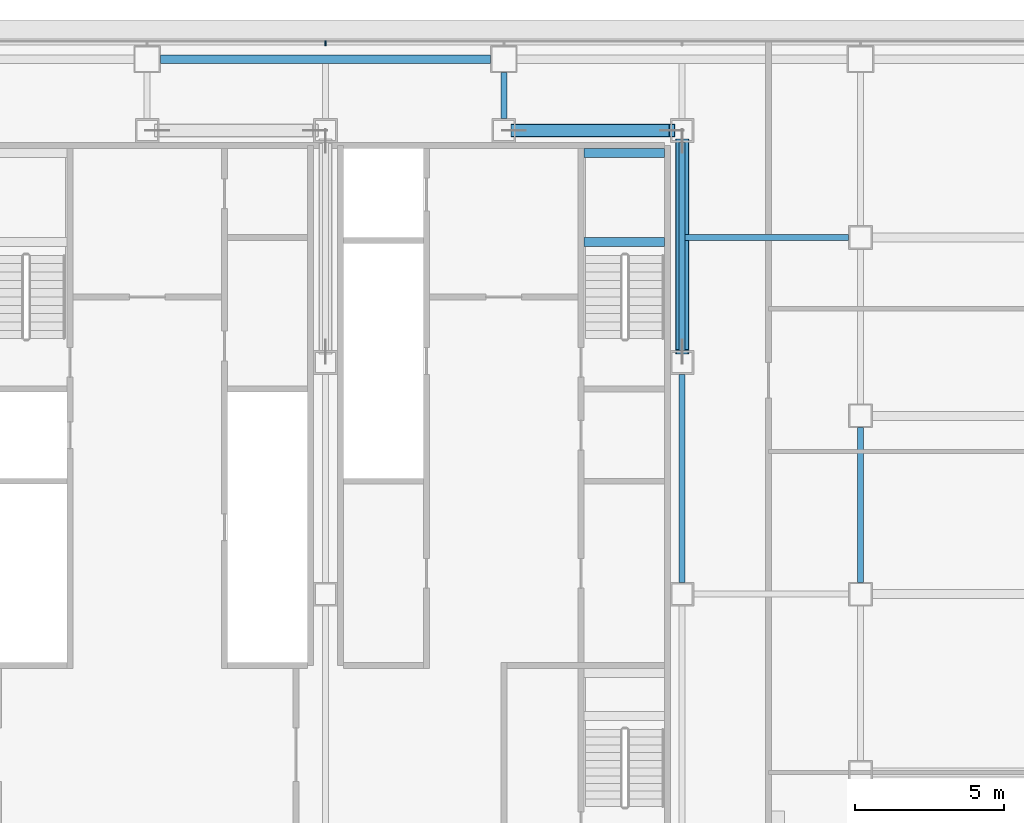
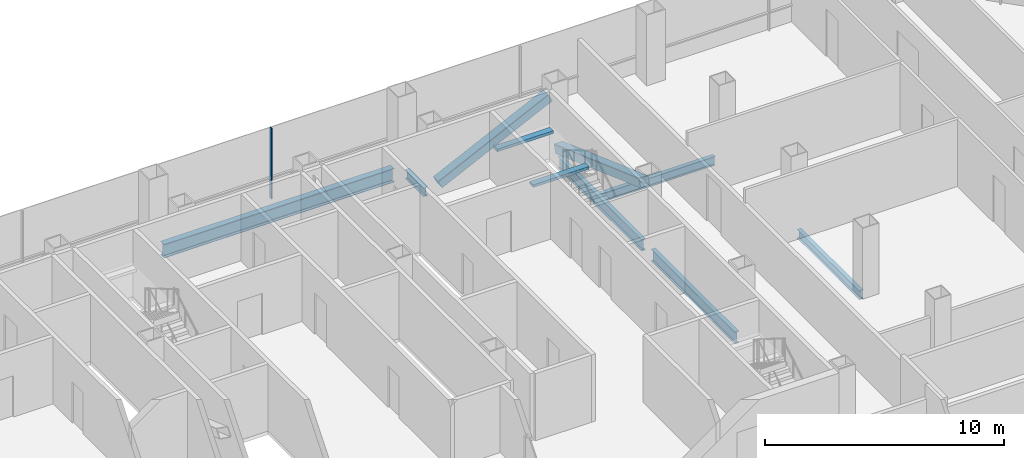
# One storey, part 13 of 27: 8 beams, 3 members, 1 element without a shape of its own.
"""IFC4 building model written with IfcOpenShell, lengths in metres."""

from ifc_helpers import new_model, si_unit, direction, frame, origin, origin_2d, place, context, subcontext, project, spatial, rectangle, hollow_rectangle, i_section, extrude, material, material_profile, profile_set, type_object, element, aggregate, save


model = new_model("IFC4")

# Units and contexts
model_context = context("Model", 3, precision=1e-05, world=origin(), true_north=direction((0.0, 1.0)))
body_context = subcontext(model_context, "Body", "Model", "MODEL_VIEW")
ifc_project = project(units=[si_unit("LENGTHUNIT", "METRE"), si_unit("AREAUNIT", "SQUARE_METRE"), si_unit("VOLUMEUNIT", "CUBIC_METRE"), si_unit("PLANEANGLEUNIT", "RADIAN"), si_unit("MASSUNIT", "GRAM", prefix="KILO")], contexts=[model_context])

# Site, building, storey
site_placement = place(None, origin())
site = spatial("IfcSite", under=ifc_project, at=site_placement, CompositionType="ELEMENT")
building_placement = place(site_placement, origin())
building = spatial("IfcBuilding", under=site, at=building_placement, Name="Sorahane Residences", CompositionType="ELEMENT")
storey_placement = place(building_placement, frame((0.0, 0.0, 57.0)))
storey = spatial("IfcBuildingStorey", under=building, at=storey_placement, Name="L10", CompositionType="ELEMENT", Elevation=57.0)

# Members
ifc_material_1 = material(Name="Steel Q355B", Category="steel")
ifc_material_profile_1 = material_profile(ifc_material_1, hollow_rectangle(XDim=0.449951171875, YDim=0.449951171875, WallThickness=0.02197265625, InnerFilletRadius=0.010986328125, OuterFilletRadius=0.032958984375, at=origin_2d()), Name="RHS 450x450x22")
ifc_profile_set_1 = profile_set([ifc_material_profile_1], Name="Steel Q355B")
member_type_1 = type_object("IfcMemberType", Name="Core brace RHS 450x450x22 Q355B", PredefinedType="BRACE", material=ifc_profile_set_1)
member_1_placement = place(storey_placement, frame((36.341064453125, 45.60009765625, 0.196533203125), z_axis=(0.899910905173, 0.0, 0.436073804247), x_axis=(0.0, 1.0, 0.0)))
element("IfcMember", 1, at=member_1_placement, inside=storey, type_object=member_type_1, Name="Core brace L10 y45.6-6", PredefinedType="BRACE", context=body_context, shape_type="SweptSolid", body=[
    extrude(hollow_rectangle(XDim=0.449951171875, YDim=0.449951171875, WallThickness=0.02197265625, InnerFilletRadius=0.010986328125, OuterFilletRadius=0.032958984375, at=origin_2d()), origin(), (0.0, 0.0, 1.0), 5.909423828125),
])
member_2_placement = place(storey_placement, frame((42.0, 45.24560546875, 0.20849609375), z_axis=(0.0, -0.940882869443, 0.338732085856), x_axis=(1.0, 0.0, 0.0)))
element("IfcMember", 2, at=member_2_placement, inside=storey, type_object=member_type_1, Name="Core brace L10 x42-3", PredefinedType="BRACE", context=body_context, shape_type="SweptSolid", body=[
    extrude(hollow_rectangle(XDim=0.449951171875, YDim=0.449951171875, WallThickness=0.02197265625, InnerFilletRadius=0.010986328125, OuterFilletRadius=0.032958984375, at=origin_2d()), origin(), (0.0, 0.0, 1.0), 7.536865234375),
])

# Curtain wall, member
ifc_material_2 = material(Name="Dark low-e glass and black anodised aluminium", Category="aluminium")
curtain_wall_type = type_object("IfcCurtainWallType", Name="Curtain wall CW-1 Typical unitised wall", PredefinedType="NOTDEFINED", material=ifc_material_2)
curtain_wall_placement = place(storey_placement, origin())
curtain_wall = element("IfcCurtainWall", 3, at=curtain_wall_placement, inside=storey, type_object=curtain_wall_type, Name="CW-1 curtain wall L10 N1", PredefinedType="NOTDEFINED")
ifc_material_3 = material(Name="Black anodised aluminium", Category="aluminium")
ifc_material_profile_2 = material_profile(ifc_material_3, rectangle(XDim=0.159912109375, YDim=0.050048828125, at=origin_2d()), Name="Curtain wall mullion CW-1 black anodised aluminium 50x160")
ifc_profile_set_2 = profile_set([ifc_material_profile_2], Name="Black anodised aluminium")
member_type_2 = type_object("IfcMemberType", Name="Curtain wall mullion CW-1 black anodised aluminium 50x160", PredefinedType="MULLION", material=ifc_profile_set_2)
member_3_placement = place(storey_placement, frame((30.0, 48.5400390625, -0.179931640625), z_axis=(0.0, 0.0, 1.0), x_axis=(0.0, 1.0, 0.0)))
member_3 = element("IfcMember", 4, at=member_3_placement, type_object=member_type_2, Name="CW-1 mullion L10 N1.6", PredefinedType="MULLION", context=body_context, shape_type="SweptSolid", body=[
    extrude(rectangle(XDim=0.159912109375, YDim=0.050048828125, at=origin_2d()), origin(), (0.0, 0.0, 1.0), 3.599853515625),
])
aggregate(curtain_wall, [member_3])

# Beams
ifc_material_4 = material(Name="Concrete C40", Category="concrete")
ifc_material_profile_3 = material_profile(ifc_material_4, rectangle(XDim=0.300048828125, YDim=0.139892578125, at=origin_2d()), Name="300x140")
ifc_profile_set_3 = profile_set([ifc_material_profile_3], Name="Concrete C40")
beam_type_1 = type_object("IfcBeamType", Name="RC landing beam 300 x 140 Concrete C40", PredefinedType="BEAM", material=ifc_profile_set_3)
for number, where, z_axis, x_axis, name in (
    (5, (38.699951171875, 41.85009765625, 1.530029296875), (1.0, 0.0, 0.0), (0.0, 1.0, 0.0), "Landing beam"),
    (6, (38.699951171875, 44.85009765625, 1.530029296875), (1.0, 0.0, 0.0), (0.0, 1.0, 0.0), "Landing beam"),
):
    element("IfcBeam", number, at=place(storey_placement, frame(where, z_axis=z_axis, x_axis=x_axis)), inside=storey, type_object=beam_type_1, Name=name, PredefinedType="BEAM", context=body_context, shape_type="SweptSolid", body=[
        extrude(rectangle(XDim=0.300048828125, YDim=0.139892578125, at=origin_2d()), origin(), (0.0, 0.0, 1.0), 2.699951171875),
    ])
ifc_material_5 = material(Name="Steel Q355B", Category="steel")
ifc_material_profile_4 = material_profile(ifc_material_5, i_section(OverallWidth=0.199951171875, OverallDepth=0.449951171875, WebThickness=0.009033203125, FlangeThickness=0.013916015625, FilletRadius=0.02001953125, at=origin_2d()), Name="HN 450x200x9x14")
ifc_profile_set_4 = profile_set([ifc_material_profile_4], Name="Steel Q355B")
beam_type_2 = type_object("IfcBeamType", Name="Steel floor beam HN 450x200x9x14 Q355B", PredefinedType="BEAM", material=ifc_profile_set_4)
beam_1_placement = place(storey_placement, frame((36.0, 46.0, -0.405029296875), z_axis=(0.0, 1.0, 0.0), x_axis=(-1.0, 0.0, 0.0)))
element("IfcBeam", 7, at=beam_1_placement, inside=storey, type_object=beam_type_2, Name="Beam L10 044", PredefinedType="BEAM", context=body_context, shape_type="SweptSolid", body=[
    extrude(i_section(OverallWidth=0.199951171875, OverallDepth=0.449951171875, WebThickness=0.009033203125, FlangeThickness=0.013916015625, FilletRadius=0.02001953125, at=origin_2d()), origin(), (0.0, 0.0, 1.0), 1.550048828125),
])
beam_2_placement = place(storey_placement, frame((48.0, 30.39990234375, -0.405029296875), z_axis=(0.0, 1.0, 0.0), x_axis=(-1.0, 0.0, 0.0)))
element("IfcBeam", 8, at=beam_2_placement, inside=storey, type_object=beam_type_2, Name="Beam L10 054", PredefinedType="BEAM", context=body_context, shape_type="SweptSolid", body=[
    extrude(i_section(OverallWidth=0.199951171875, OverallDepth=0.449951171875, WebThickness=0.009033203125, FlangeThickness=0.013916015625, FilletRadius=0.02001953125, at=origin_2d()), origin(), (0.0, 0.0, 1.0), 5.2001953125),
])
beam_3_placement = place(storey_placement, frame((42.10009765625, 42.0, -0.405029296875), z_axis=(1.0, 0.0, 0.0), x_axis=(0.0, 1.0, 0.0)))
element("IfcBeam", 9, at=beam_3_placement, inside=storey, type_object=beam_type_2, Name="Beam L10 080", PredefinedType="BEAM", context=body_context, shape_type="SweptSolid", body=[
    extrude(i_section(OverallWidth=0.199951171875, OverallDepth=0.449951171875, WebThickness=0.009033203125, FlangeThickness=0.013916015625, FilletRadius=0.02001953125, at=origin_2d()), origin(), (0.0, 0.0, 1.0), 5.5),
])
ifc_material_6 = material(Name="Steel Q355B", Category="steel")
ifc_material_profile_5 = material_profile(ifc_material_6, i_section(OverallWidth=0.199951171875, OverallDepth=0.60009765625, WebThickness=0.010986328125, FlangeThickness=0.01708984375, FilletRadius=0.02392578125, at=origin_2d()), Name="HN 600x200x11x17")
ifc_profile_set_5 = profile_set([ifc_material_profile_5], Name="Steel Q355B")
beam_type_3 = type_object("IfcBeamType", Name="Steel floor beam HN 600x200x11x17 Q355B", PredefinedType="BEAM", material=ifc_profile_set_5)
for number, where, z_axis, x_axis, name in (
    (10, (42.0, 30.39990234375, -0.47998046875), (0.0, 1.0, 0.0), (-1.0, 0.0, 0.0), "Beam L10 048"),
    (11, (42.0, 38.199951171875, -0.47998046875), (0.0, 1.0, 0.0), (-1.0, 0.0, 0.0), "Beam L10 049"),
):
    element("IfcBeam", number, at=place(storey_placement, frame(where, z_axis=z_axis, x_axis=x_axis)), inside=storey, type_object=beam_type_3, Name=name, PredefinedType="BEAM", context=body_context, shape_type="SweptSolid", body=[
        extrude(i_section(OverallWidth=0.199951171875, OverallDepth=0.60009765625, WebThickness=0.010986328125, FlangeThickness=0.01708984375, FilletRadius=0.02392578125, at=origin_2d()), origin(), (0.0, 0.0, 1.0), 7.0),
    ])
ifc_material_7 = material(Name="Steel Q355B", Category="steel")
ifc_material_profile_6 = material_profile(ifc_material_7, i_section(OverallWidth=0.300048828125, OverallDepth=0.699951171875, WebThickness=0.012939453125, FlangeThickness=0.02392578125, FilletRadius=0.028076171875, at=origin_2d()), Name="HN 700x300x13x24")
ifc_profile_set_6 = profile_set([ifc_material_profile_6], Name="Steel Q355B")
beam_type_4 = type_object("IfcBeamType", Name="Steel floor beam HN 700x300x13x24 Q355B", PredefinedType="BEAM", material=ifc_profile_set_6)
beam_4_placement = place(storey_placement, frame((24.449951171875, 48.0, -0.530029296875), z_axis=(1.0, 0.0, 0.0), x_axis=(0.0, 1.0, 0.0)))
element("IfcBeam", 12, at=beam_4_placement, inside=storey, type_object=beam_type_4, Name="Beam L10 014", PredefinedType="BEAM", context=body_context, shape_type="SweptSolid", body=[
    extrude(i_section(OverallWidth=0.300048828125, OverallDepth=0.699951171875, WebThickness=0.012939453125, FlangeThickness=0.02392578125, FilletRadius=0.028076171875, at=origin_2d()), origin(), (0.0, 0.0, 1.0), 11.10009765625),
])

save(model, "model.ifc")
